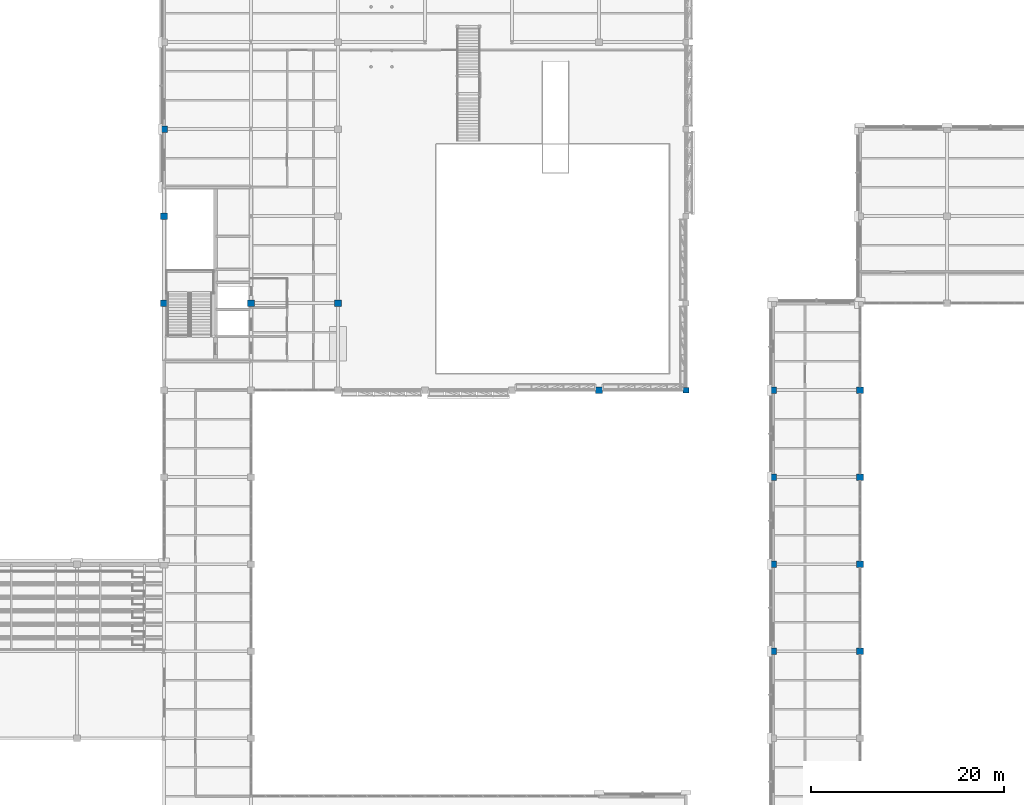
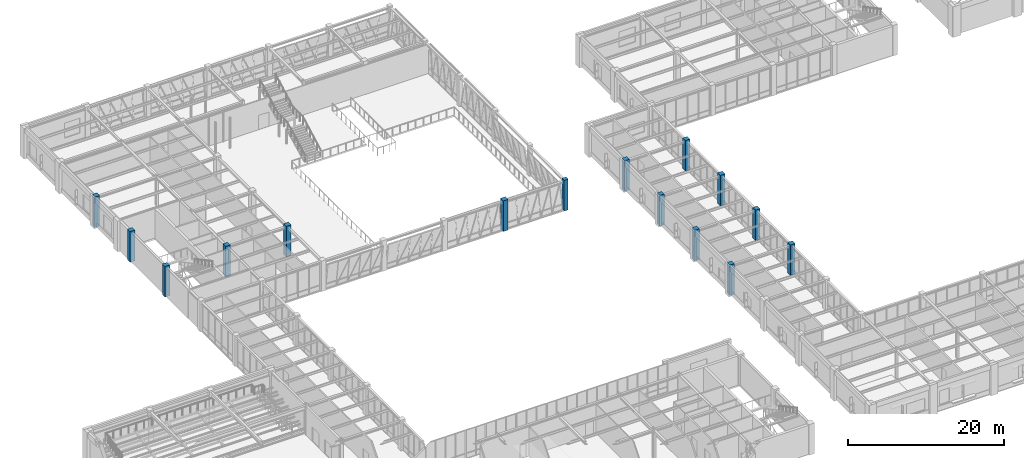
# One storey, part 7 of 98: 15 columns.
"""IFC4 building model written with IfcOpenShell, lengths in metres."""

from ifc_helpers import new_model, si_unit, direction, frame, origin, origin_2d, place, context, subcontext, project, spatial, rectangle, extrude, material, material_profile, profile_set, type_object, element, save


model = new_model("IFC4")

# Units and contexts
model_context = context("Model", 3, precision=1e-05, world=origin(), true_north=direction((0.0, 1.0)))
body_context = subcontext(model_context, "Body", "Model", "MODEL_VIEW")
ifc_project = project(units=[si_unit("LENGTHUNIT", "METRE"), si_unit("AREAUNIT", "SQUARE_METRE"), si_unit("VOLUMEUNIT", "CUBIC_METRE"), si_unit("PLANEANGLEUNIT", "RADIAN"), si_unit("MASSUNIT", "GRAM", prefix="KILO")], contexts=[model_context])

# Site, building, storey
site_placement = place(None, origin())
site = spatial("IfcSite", under=ifc_project, at=site_placement, CompositionType="ELEMENT")
building_placement = place(site_placement, origin())
building = spatial("IfcBuilding", under=site, at=building_placement, Name="Lykobir Media Centre", CompositionType="ELEMENT")
storey_placement = place(building_placement, frame((0.0, 0.0, 10.199951171875)))
storey = spatial("IfcBuildingStorey", under=building, at=storey_placement, Name="L02", CompositionType="ELEMENT", Elevation=10.199951171875)

# Columns
ifc_material = material(Name="Concrete C40/50", Category="concrete")
ifc_material_profile_1 = material_profile(ifc_material, rectangle(XDim=0.60009765625, YDim=0.60009765625, at=origin_2d()), Name="RC 600x600")
ifc_profile_set_1 = profile_set([ifc_material_profile_1], Name="Concrete C40/50")
column_type_1 = type_object("IfcColumnType", Name="RC-C600-E", PredefinedType="COLUMN", material=ifc_profile_set_1)
column_placement = place(storey_placement, frame((81.0, 63.0, 0.0), z_axis=(0.0, 0.0, 1.0), x_axis=(1.0, 0.0, 0.0)))
element("IfcColumn", 1, at=column_placement, inside=storey, type_object=column_type_1, Name="Column COL-L02-0810-0630", PredefinedType="COLUMN", context=body_context, shape_type="SweptSolid", body=[
    extrude(rectangle(XDim=0.60009765625, YDim=0.60009765625, at=origin_2d()), origin(), (0.0, 0.0, 1.0), 4.800048828125),
])
ifc_material_profile_2 = material_profile(ifc_material, rectangle(XDim=0.699951171875, YDim=0.699951171875, at=origin_2d()), Name="RC 700x700")
ifc_profile_set_2 = profile_set([ifc_material_profile_2], Name="Concrete C40/50")
column_type_2 = type_object("IfcColumnType", Name="RC-C700", PredefinedType="COLUMN", material=ifc_profile_set_2)
for number, where, z_axis, x_axis, name in (
    (2, (27.0, 72.0, 0.0), (0.0, 0.0, 1.0), (1.0, 0.0, 0.0), "Column COL-L02-0270-0720"),
    (3, (27.0, 81.0, 0.0), (0.0, 0.0, 1.0), (1.0, 0.0, 0.0), "Column COL-L02-0270-0810"),
    (4, (27.0, 90.0, 0.0), (0.0, 0.0, 1.0), (1.0, 0.0, 0.0), "Column COL-L02-0270-0900"),
    (5, (36.0, 72.0, 0.0), (0.0, 0.0, 1.0), (1.0, 0.0, 0.0), "Column COL-L02-0360-0720"),
    (6, (45.0, 72.0, 0.0), (0.0, 0.0, 1.0), (1.0, 0.0, 0.0), "Column COL-L02-0450-0720"),
    (7, (72.0, 63.0, 0.0), (0.0, 0.0, 1.0), (1.0, 0.0, 0.0), "Column COL-L02-0720-0630"),
    (8, (99.0, 36.0, 0.0), (0.0, 0.0, 1.0), (1.0, 0.0, 0.0), "Column COL-L02-0990-0360"),
    (9, (99.0, 45.0, 0.0), (0.0, 0.0, 1.0), (1.0, 0.0, 0.0), "Column COL-L02-0990-0450"),
    (10, (99.0, 54.0, 0.0), (0.0, 0.0, 1.0), (1.0, 0.0, 0.0), "Column COL-L02-0990-0540"),
    (11, (99.0, 63.0, 0.0), (0.0, 0.0, 1.0), (1.0, 0.0, 0.0), "Column COL-L02-0990-0630"),
):
    element("IfcColumn", number, at=place(storey_placement, frame(where, z_axis=z_axis, x_axis=x_axis)), inside=storey, type_object=column_type_2, Name=name, PredefinedType="COLUMN", context=body_context, shape_type="SweptSolid", body=[
        extrude(rectangle(XDim=0.699951171875, YDim=0.699951171875, at=origin_2d()), origin(), (0.0, 0.0, 1.0), 4.800048828125),
    ])
ifc_material_profile_3 = material_profile(ifc_material, rectangle(XDim=0.699951171875, YDim=0.699951171875, at=origin_2d()), Name="RC 700x700")
ifc_profile_set_3 = profile_set([ifc_material_profile_3], Name="Concrete C40/50")
column_type_3 = type_object("IfcColumnType", Name="RC-C700-E", PredefinedType="COLUMN", material=ifc_profile_set_3)
for number, where, z_axis, x_axis, name in (
    (12, (90.0, 36.0, 0.0), (0.0, 0.0, 1.0), (1.0, 0.0, 0.0), "Column COL-L02-0900-0360"),
    (13, (90.0, 45.0, 0.0), (0.0, 0.0, 1.0), (1.0, 0.0, 0.0), "Column COL-L02-0900-0450"),
    (14, (90.0, 54.0, 0.0), (0.0, 0.0, 1.0), (1.0, 0.0, 0.0), "Column COL-L02-0900-0540"),
    (15, (90.0, 63.0, 0.0), (0.0, 0.0, 1.0), (1.0, 0.0, 0.0), "Column COL-L02-0900-0630"),
):
    element("IfcColumn", number, at=place(storey_placement, frame(where, z_axis=z_axis, x_axis=x_axis)), inside=storey, type_object=column_type_3, Name=name, PredefinedType="COLUMN", context=body_context, shape_type="SweptSolid", body=[
        extrude(rectangle(XDim=0.699951171875, YDim=0.699951171875, at=origin_2d()), origin(), (0.0, 0.0, 1.0), 4.800048828125),
    ])

save(model, "model.ifc")
